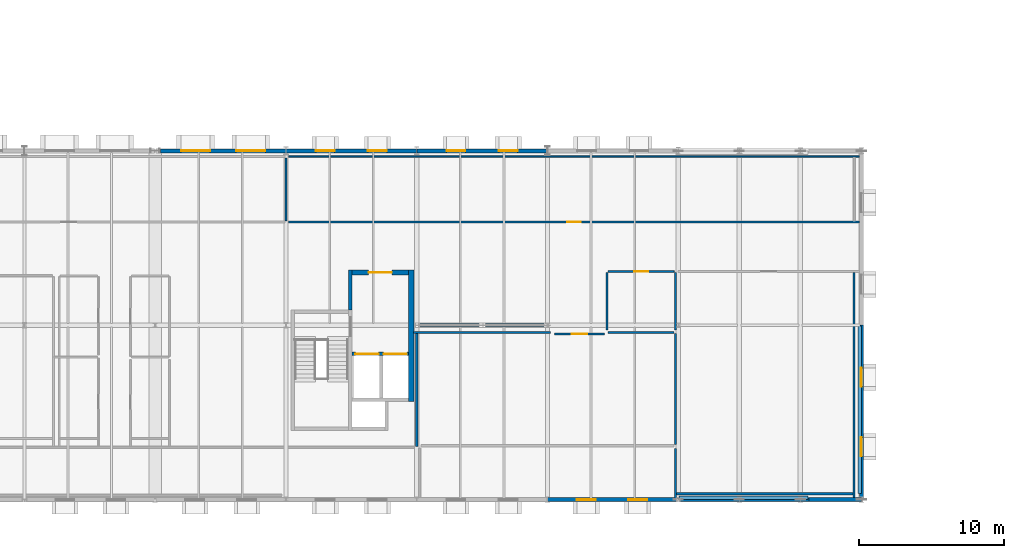
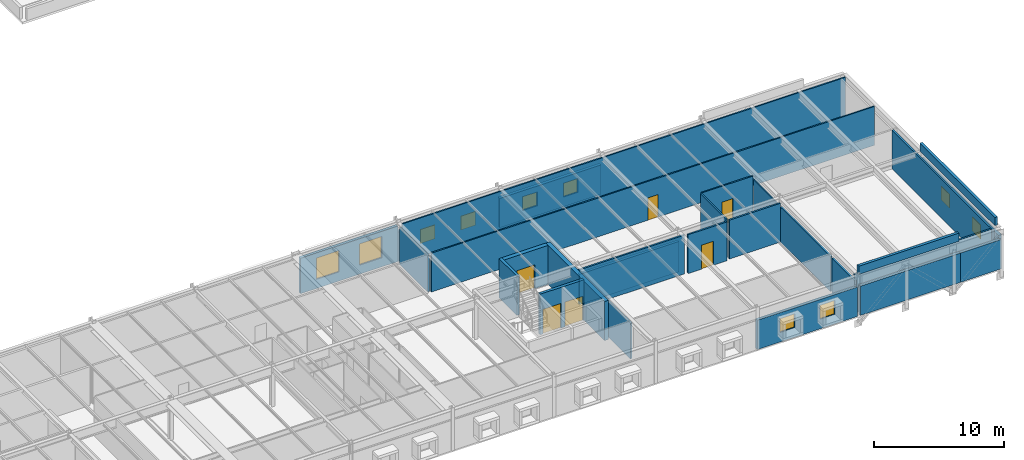
# One storey, part 32 of 36: 28 walls, 10 windows, 6 doors, 16 openings.
"""IFC4 building model written with IfcOpenShell, lengths in metres."""

from ifc_helpers import new_model, si_unit, direction, frame, frame_2d, origin, place, context, subcontext, project, spatial, rectangle, extrude, material, layer, layer_set, type_object, element, fill, save


model = new_model("IFC4")

# Units and contexts
model_context = context("Model", 3, precision=1e-05, world=origin(), true_north=direction((0.0, 1.0)))
body_context = subcontext(model_context, "Body", "Model", "MODEL_VIEW")
ifc_project = project(units=[si_unit("LENGTHUNIT", "METRE"), si_unit("AREAUNIT", "SQUARE_METRE"), si_unit("VOLUMEUNIT", "CUBIC_METRE"), si_unit("PLANEANGLEUNIT", "RADIAN"), si_unit("MASSUNIT", "GRAM", prefix="KILO")], contexts=[model_context])

# Site, building, storey
site_placement = place(None, origin())
site = spatial("IfcSite", under=ifc_project, at=site_placement, CompositionType="ELEMENT")
building_placement = place(site_placement, origin())
building = spatial("IfcBuilding", under=site, at=building_placement, Name="Montelvaro Courts of Justice", CompositionType="ELEMENT")
storey_placement = place(building_placement, frame((0.0, 0.0, 23.39990234375)))
storey = spatial("IfcBuildingStorey", under=building, at=storey_placement, Name="L05", CompositionType="ELEMENT", Elevation=23.39990234375)

# Wall
ifc_material_1 = material(Name="Gypsum board on metal stud")
ifc_layer_1 = layer(ifc_material_1, 0.14990234375)
ifc_layer_set_1 = layer_set([ifc_layer_1], Name="Gypsum board on metal stud")
wall_type_1 = type_object("IfcWallType", Name="ChambersPartition_150", PredefinedType="PARTITIONING", material=ifc_layer_set_1)
wall_1_placement = place(storey_placement, frame((108.0, 23.52001953125, 0.0), z_axis=(0.0, 0.0, 1.0), x_axis=(0.0, -1.0, 0.0)))
element("IfcWall", 1, at=wall_1_placement, inside=storey, type_object=wall_type_1, Name="Interior Partition IW-04 (L05)", PredefinedType="PARTITIONING", context=body_context, shape_type="SweptSolid", body=[
    extrude(rectangle(XDim=4.340087890625, YDim=0.14990234375, at=frame_2d((2.169921875, 0.0))), origin(), (0.0, 0.0, 1.0), 3.405029296875),
])

# Wall, opening, door
wall_2_placement = place(storey_placement, frame((126.47998046875, 11.39990234375, 0.0), z_axis=(0.0, 0.0, 1.0), x_axis=(1.0, 0.0, 0.0)))
wall_2 = element("IfcWall", 2, at=wall_2_placement, inside=storey, type_object=wall_type_1, Name="Interior Partition IW-04 (L05)", PredefinedType="PARTITIONING", context=body_context, shape_type="SweptSolid", body=[
    extrude(rectangle(XDim=3.43994140625, YDim=0.14990234375, at=frame_2d((1.719970703125, 0.0))), origin(), (0.0, 0.0, 1.0), 3.64013671875),
])
opening_1_placement = place(wall_2_placement, frame((1.195068359375, 0.0, 0.0)))
opening_1 = element("IfcOpeningElement", 3, at=opening_1_placement, cuts=wall_2, Name="Opening D-L05-155", PredefinedType="OPENING", context=body_context, shape_type="SweptSolid", body=[
    extrude(rectangle(XDim=1.050048828125, YDim=2.25, at=frame_2d((0.52490234375, 1.125))), frame((0.0, 0.08984375, 0.0), z_axis=(0.0, -1.0, 0.0), x_axis=(1.0, 0.0, 0.0)), (0.0, 0.0, 1.0), 0.1796875),
])
ifc_material_2 = material(Name="Acoustic oak timber veneer", Category="wood")
door_type_1 = type_object("IfcDoorType", Name="ChamberDoor_105x225", OperationType="NOTDEFINED", PredefinedType="DOOR", material=ifc_material_2)
door_1_placement = place(opening_1_placement, frame((1.050048828125, 0.0, 0.0), z_axis=(0.0, 0.0, 1.0), x_axis=(-1.0, 0.0, 0.0)))
door_1 = element("IfcDoor", 4, at=door_1_placement, inside=storey, type_object=door_type_1, Name="Interior Door D-L05-155 (Senior Magistrates' Chambers East L05)", OperationType="SINGLE_SWING_LEFT", OverallHeight=2.25, OverallWidth=1.050048828125, PredefinedType="DOOR", context=body_context, shape_type="SweptSolid", body=[
    extrude(rectangle(XDim=1.050048828125, YDim=2.25, at=frame_2d((0.52490234375, 1.125))), frame((0.0, 0.02490234375, 0.0), z_axis=(0.0, -1.0, 0.0), x_axis=(1.0, 0.0, 0.0)), (0.0, 0.0, 1.0), 0.050048828125),
])
fill(opening_1, door_1)

# Walls
wall_3_placement = place(storey_placement, frame((130.179931640625, 11.5, 0.0), z_axis=(0.0, 0.0, 1.0), x_axis=(1.0, 0.0, 0.0)))
element("IfcWall", 5, at=wall_3_placement, inside=storey, type_object=wall_type_1, Name="Interior Partition IW-04 (L05)", PredefinedType="PARTITIONING", context=body_context, shape_type="SweptSolid", body=[
    extrude(rectangle(XDim=4.5400390625, YDim=0.14990234375, at=frame_2d((2.27001953125, 0.0))), origin(), (0.0, 0.0, 1.0), 3.64013671875),
])
wall_4_placement = place(storey_placement, frame((134.800048828125, 11.419921875, 0.0), z_axis=(0.0, 0.0, 1.0), x_axis=(0.0, -1.0, 0.0)))
element("IfcWall", 6, at=wall_4_placement, inside=storey, type_object=wall_type_1, Name="Interior Partition IW-04 (L05)", PredefinedType="PARTITIONING", context=body_context, shape_type="SweptSolid", body=[
    extrude(rectangle(XDim=7.639892578125, YDim=0.14990234375, at=frame_2d((3.81982421875, 0.0))), origin(), (0.0, 0.0, 1.0), 3.28515625),
])
wall_5_placement = place(storey_placement, frame((117.0, 3.655029296875, 0.0), z_axis=(0.0, 0.0, 1.0), x_axis=(0.0, 1.0, 0.0)))
element("IfcWall", 7, at=wall_5_placement, inside=storey, type_object=wall_type_1, Name="Interior Partition IW-04 (L05)", PredefinedType="PARTITIONING", context=body_context, shape_type="SweptSolid", body=[
    extrude(rectangle(XDim=7.764892578125, YDim=0.14990234375, at=frame_2d((3.88232421875, 0.0))), origin(), (0.0, 0.0, 1.0), 3.364990234375),
])
wall_6_placement = place(storey_placement, frame((116.794921875, 11.5, 0.0), z_axis=(0.0, 0.0, 1.0), x_axis=(1.0, 0.0, 0.0)))
element("IfcWall", 8, at=wall_6_placement, inside=storey, type_object=wall_type_1, Name="Interior Partition IW-04 (L05)", PredefinedType="PARTITIONING", context=body_context, shape_type="SweptSolid", body=[
    extrude(rectangle(XDim=9.425048828125, YDim=0.14990234375, at=frame_2d((4.71240234375, 0.0))), origin(), (0.0, 0.0, 1.0), 3.64013671875),
])
wall_7_placement = place(storey_placement, frame((147.10009765625, 15.6298828125, 0.0), z_axis=(0.0, 0.0, 1.0), x_axis=(0.0, -1.0, 0.0)))
element("IfcWall", 9, at=wall_7_placement, inside=storey, type_object=wall_type_1, Name="Interior Partition IW-04 (L05)", PredefinedType="PARTITIONING", context=body_context, shape_type="SweptSolid", body=[
    extrude(rectangle(XDim=15.494873046875, YDim=0.14990234375, at=frame_2d((7.74755859375, 0.0))), origin(), (0.0, 0.0, 1.0), 3.64013671875),
])
wall_8_placement = place(storey_placement, frame((147.030029296875, 0.39990234375, 0.0), z_axis=(0.0, 0.0, 1.0), x_axis=(-1.0, 0.0, 0.0)))
element("IfcWall", 10, at=wall_8_placement, inside=storey, type_object=wall_type_1, Name="Interior Partition IW-04 (L05)", PredefinedType="PARTITIONING", context=body_context, shape_type="SweptSolid", body=[
    extrude(rectangle(XDim=12.150146484375, YDim=0.14990234375, at=frame_2d((6.0751953125, 0.0))), origin(), (0.0, 0.0, 1.0), 3.64013671875),
])
wall_9_placement = place(storey_placement, frame((134.800048828125, 0.008056640625, 0.0), z_axis=(0.0, 0.0, 1.0), x_axis=(0.0, 1.0, 0.0)))
element("IfcWall", 11, at=wall_9_placement, inside=storey, type_object=wall_type_1, Name="Interior Partition IW-04 (L05)", PredefinedType="PARTITIONING", context=body_context, shape_type="SweptSolid", body=[
    extrude(rectangle(XDim=3.511962890625, YDim=0.14990234375, at=frame_2d((1.755859375, 0.0))), origin(), (0.0, 0.0, 1.0), 3.28515625),
])

# Wall, opening, door
ifc_material_3 = material(Name="Concrete C40/50", Category="concrete")
ifc_layer_2 = layer(ifc_material_3, 0.360107421875)
ifc_layer_set_2 = layer_set([ifc_layer_2], Name="Concrete C40/50")
wall_type_2 = type_object("IfcWallType", Name="CoreWall_360", PredefinedType="SHEAR", material=ifc_layer_set_2)
wall_10_placement = place(storey_placement, frame((112.5400390625, 15.6201171875, 0.0), z_axis=(0.0, 0.0, 1.0), x_axis=(1.0, 0.0, 0.0)))
wall_10 = element("IfcWall", 12, at=wall_10_placement, inside=storey, type_object=wall_type_2, Name="Core Shear Wall CW-01 K2-N (L05)", PredefinedType="SHEAR", context=body_context, shape_type="SweptSolid", body=[
    extrude(rectangle(XDim=3.89990234375, YDim=0.360107421875, at=frame_2d((1.949951171875, 0.0))), origin(), (0.0, 0.0, 1.0), 3.66015625),
])
opening_2_placement = place(wall_10_placement, frame((1.14990234375, 0.0, 0.0)))
opening_2 = element("IfcOpeningElement", 13, at=opening_2_placement, cuts=wall_10, Name="Opening DL-L05-K2", PredefinedType="OPENING", context=body_context, shape_type="SweptSolid", body=[
    extrude(rectangle(XDim=1.60009765625, YDim=2.25, at=frame_2d((0.800048828125, 1.125))), frame((0.0, 0.19482421875, 0.0), z_axis=(0.0, -1.0, 0.0), x_axis=(1.0, 0.0, 0.0)), (0.0, 0.0, 1.0), 0.389892578125),
])
ifc_material_4 = material(Name="Galvanised steel S355 security door", Category="steel")
door_type_2 = type_object("IfcDoorType", Name="LobbyFireDoor_160x225", OperationType="DOUBLE_DOOR_SINGLE_SWING", PredefinedType="DOOR", material=ifc_material_4)
door_2_placement = place(opening_2_placement, origin())
door_2 = element("IfcDoor", 14, at=door_2_placement, inside=storey, type_object=door_type_2, Name="Core Lobby Fire Door DL-L05-K2", OperationType="DOUBLE_DOOR_SINGLE_SWING", OverallHeight=2.25, OverallWidth=1.60009765625, PredefinedType="DOOR", context=body_context, shape_type="SweptSolid", body=[
    extrude(rectangle(XDim=1.60009765625, YDim=2.25, at=frame_2d((0.800048828125, 1.125))), frame((0.0, 0.02490234375, 0.0), z_axis=(0.0, -1.0, 0.0), x_axis=(1.0, 0.0, 0.0)), (0.0, 0.0, 1.0), 0.050048828125),
])
fill(opening_2, door_2)

# Wall
wall_11_placement = place(storey_placement, frame((116.6201171875, 6.760009765625, 0.0), z_axis=(0.0, 0.0, 1.0), x_axis=(0.0, 1.0, 0.0)))
element("IfcWall", 15, at=wall_11_placement, inside=storey, type_object=wall_type_2, Name="Core Shear Wall CW-01 K2-E (L05)", PredefinedType="SHEAR", context=body_context, shape_type="SweptSolid", body=[
    extrude(rectangle(XDim=9.0400390625, YDim=0.360107421875, at=frame_2d((4.52001953125, 0.0))), origin(), (0.0, 0.0, 1.0), 3.66015625),
])

# Wall, openings, windows
ifc_material_5 = material(Name="White mineral precast concrete C45/55", Category="concrete")
ifc_layer_3 = layer(ifc_material_5, 0.280029296875)
ifc_layer_set_3 = layer_set([ifc_layer_3], Name="White mineral precast concrete C45/55")
wall_type_3 = type_object("IfcWallType", Name="ExtWall_GFRC_280", PredefinedType="SOLIDWALL", material=ifc_layer_set_3)
wall_12_placement = place(storey_placement, frame((126.008056640625, 0.0, 0.0), z_axis=(0.0, 0.0, 1.0), x_axis=(1.0, 0.0, 0.0)))
wall_12 = element("IfcWall", 16, at=wall_12_placement, inside=storey, type_object=wall_type_3, Name="Exterior Facade Wall EW-01 (L05)", PredefinedType="SOLIDWALL", context=body_context, shape_type="SweptSolid", body=[
    extrude(rectangle(XDim=8.864013671875, YDim=0.280029296875, at=frame_2d((4.43212890625, 0.0))), origin(), (0.0, 0.0, 1.0), 2.7470703125),
])
opening_3_placement = place(wall_12_placement, frame((2.009033203125, 0.0, 0.89990234375)))
opening_3 = element("IfcOpeningElement", 17, at=opening_3_placement, cuts=wall_12, Name="Opening WE-18", PredefinedType="OPENING", context=body_context, shape_type="SweptSolid", body=[
    extrude(rectangle(XDim=1.300048828125, YDim=1.300048828125, at=frame_2d((0.64990234375, 0.64990234375))), frame((0.0, 0.15478515625, 0.0), z_axis=(0.0, -1.0, 0.0), x_axis=(1.0, 0.0, 0.0)), (0.0, 0.0, 1.0), 0.309814453125),
])
opening_4_placement = place(wall_12_placement, frame((5.554931640625, 0.0, 0.89990234375)))
opening_4 = element("IfcOpeningElement", 18, at=opening_4_placement, cuts=wall_12, Name="Opening WE-18", PredefinedType="OPENING", context=body_context, shape_type="SweptSolid", body=[
    extrude(rectangle(XDim=1.300048828125, YDim=1.300048828125, at=frame_2d((0.64990234375, 0.64990234375))), frame((0.0, 0.15478515625, 0.0), z_axis=(0.0, -1.0, 0.0), x_axis=(1.0, 0.0, 0.0)), (0.0, 0.0, 1.0), 0.309814453125),
])
ifc_material_6 = material(Name="Low-E solar control double glazing", Category="glass")
window_type_1 = type_object("IfcWindowType", Name="Win_Sq_130x130", PartitioningType="SINGLE_PANEL", PredefinedType="WINDOW", material=ifc_material_6)
window_1_placement = place(opening_3_placement, origin())
window_1 = element("IfcWindow", 19, at=window_1_placement, inside=storey, type_object=window_type_1, Name="Window W-L05-270", OverallHeight=1.300048828125, OverallWidth=1.300048828125, PartitioningType="SINGLE_PANEL", PredefinedType="WINDOW", context=body_context, shape_type="SweptSolid", body=[
    extrude(rectangle(XDim=1.300048828125, YDim=1.300048828125, at=frame_2d((0.64990234375, 0.64990234375))), frame((0.0, 0.030029296875, 0.0), z_axis=(0.0, -1.0, 0.0), x_axis=(1.0, 0.0, 0.0)), (0.0, 0.0, 1.0), 0.06005859375),
])
fill(opening_3, window_1)
window_2_placement = place(opening_4_placement, origin())
window_2 = element("IfcWindow", 20, at=window_2_placement, inside=storey, type_object=window_type_1, Name="Window W-L05-271", OverallHeight=1.300048828125, OverallWidth=1.300048828125, PartitioningType="SINGLE_PANEL", PredefinedType="WINDOW", context=body_context, shape_type="SweptSolid", body=[
    extrude(rectangle(XDim=1.300048828125, YDim=1.300048828125, at=frame_2d((0.64990234375, 0.64990234375))), frame((0.0, 0.030029296875, 0.0), z_axis=(0.0, -1.0, 0.0), x_axis=(1.0, 0.0, 0.0)), (0.0, 0.0, 1.0), 0.06005859375),
])
fill(opening_4, window_2)

# Walls
wall_13_placement = place(storey_placement, frame((135.1279296875, 0.0, 0.0), z_axis=(0.0, 0.0, 1.0), x_axis=(1.0, 0.0, 0.0)))
element("IfcWall", 21, at=wall_13_placement, inside=storey, type_object=wall_type_3, Name="Exterior Facade Wall EW-01 (L05)", PredefinedType="SOLIDWALL", context=body_context, shape_type="SweptSolid", body=[
    extrude(rectangle(XDim=8.882080078125, YDim=0.280029296875, at=frame_2d((4.44091796875, 0.0))), origin(), (0.0, 0.0, 1.0), 2.7470703125),
])
wall_14_placement = place(storey_placement, frame((143.989990234375, 0.0, 0.0), z_axis=(0.0, 0.0, 1.0), x_axis=(1.0, 0.0, 0.0)))
element("IfcWall", 22, at=wall_14_placement, inside=storey, type_object=wall_type_3, Name="Exterior Facade Wall EW-01 (L05)", PredefinedType="SOLIDWALL", context=body_context, shape_type="SweptSolid", body=[
    extrude(rectangle(XDim=3.64990234375, YDim=0.280029296875, at=frame_2d((1.824951171875, 0.0))), origin(), (0.0, 0.0, 1.0), 2.7470703125),
])

# Wall, openings, windows
wall_15_placement = place(storey_placement, frame((147.60009765625, 0.0400390625, 0.0), z_axis=(0.0, 0.0, 1.0), x_axis=(0.0, 1.0, 0.0)))
wall_15 = element("IfcWall", 23, at=wall_15_placement, inside=storey, type_object=wall_type_3, Name="Exterior Facade Wall EW-01 (L05)", PredefinedType="SOLIDWALL", context=body_context, shape_type="SweptSolid", body=[
    extrude(rectangle(XDim=11.969970703125, YDim=0.280029296875, at=frame_2d((5.98486328125, 0.0))), origin(), (0.0, 0.0, 1.0), 3.05517578125),
])
opening_5_placement = place(wall_15_placement, frame((2.94091796875, 0.0, 0.89990234375)))
opening_5 = element("IfcOpeningElement", 24, at=opening_5_placement, cuts=wall_15, Name="Opening WE-18", PredefinedType="OPENING", context=body_context, shape_type="SweptSolid", body=[
    extrude(rectangle(XDim=1.300048828125, YDim=1.300048828125, at=frame_2d((0.64990234375, 0.64990234375))), frame((0.0, 0.15478515625, 0.0), z_axis=(0.0, -1.0, 0.0), x_axis=(1.0, 0.0, 0.0)), (0.0, 0.0, 1.0), 0.309814453125),
])
opening_6_placement = place(wall_15_placement, frame((7.72900390625, 0.0, 0.89990234375)))
opening_6 = element("IfcOpeningElement", 25, at=opening_6_placement, cuts=wall_15, Name="Opening WE-18", PredefinedType="OPENING", context=body_context, shape_type="SweptSolid", body=[
    extrude(rectangle(XDim=1.300048828125, YDim=1.300048828125, at=frame_2d((0.64990234375, 0.64990234375))), frame((0.0, 0.15478515625, 0.0), z_axis=(0.0, -1.0, 0.0), x_axis=(1.0, 0.0, 0.0)), (0.0, 0.0, 1.0), 0.309814453125),
])
window_3_placement = place(opening_5_placement, origin())
window_3 = element("IfcWindow", 26, at=window_3_placement, inside=storey, type_object=window_type_1, Name="Window W-L05-272", OverallHeight=1.300048828125, OverallWidth=1.300048828125, PartitioningType="SINGLE_PANEL", PredefinedType="WINDOW", context=body_context, shape_type="SweptSolid", body=[
    extrude(rectangle(XDim=1.300048828125, YDim=1.300048828125, at=frame_2d((0.64990234375, 0.64990234375))), frame((0.0, 0.030029296875, 0.0), z_axis=(0.0, -1.0, 0.0), x_axis=(1.0, 0.0, 0.0)), (0.0, 0.0, 1.0), 0.06005859375),
])
fill(opening_5, window_3)
window_4_placement = place(opening_6_placement, origin())
window_4 = element("IfcWindow", 27, at=window_4_placement, inside=storey, type_object=window_type_1, Name="Window W-L05-273", OverallHeight=1.300048828125, OverallWidth=1.300048828125, PartitioningType="SINGLE_PANEL", PredefinedType="WINDOW", context=body_context, shape_type="SweptSolid", body=[
    extrude(rectangle(XDim=1.300048828125, YDim=1.300048828125, at=frame_2d((0.64990234375, 0.64990234375))), frame((0.0, 0.030029296875, 0.0), z_axis=(0.0, -1.0, 0.0), x_axis=(1.0, 0.0, 0.0)), (0.0, 0.0, 1.0), 0.06005859375),
])
fill(opening_6, window_4)

wall_16_placement = place(storey_placement, frame((125.991943359375, 24.0, 0.0), z_axis=(0.0, 0.0, 1.0), x_axis=(-1.0, 0.0, 0.0)))
wall_16 = element("IfcWall", 28, at=wall_16_placement, inside=storey, type_object=wall_type_3, Name="Exterior Facade Wall EW-01 (L05)", PredefinedType="SOLIDWALL", context=body_context, shape_type="SweptSolid", body=[
    extrude(rectangle(XDim=8.98388671875, YDim=0.280029296875, at=frame_2d((4.491943359375, 0.0))), origin(), (0.0, 0.0, 1.0), 2.7470703125),
])
opening_7_placement = place(wall_16_placement, frame((2.044921875, 0.0, 0.89990234375)))
opening_7 = element("IfcOpeningElement", 29, at=opening_7_placement, cuts=wall_16, Name="Opening WE-18", PredefinedType="OPENING", context=body_context, shape_type="SweptSolid", body=[
    extrude(rectangle(XDim=1.300048828125, YDim=1.300048828125, at=frame_2d((0.64990234375, 0.64990234375))), frame((0.0, 0.15478515625, 0.0), z_axis=(0.0, -1.0, 0.0), x_axis=(1.0, 0.0, 0.0)), (0.0, 0.0, 1.0), 0.309814453125),
])
opening_8_placement = place(wall_16_placement, frame((5.638916015625, 0.0, 0.89990234375)))
opening_8 = element("IfcOpeningElement", 30, at=opening_8_placement, cuts=wall_16, Name="Opening WE-18", PredefinedType="OPENING", context=body_context, shape_type="SweptSolid", body=[
    extrude(rectangle(XDim=1.300048828125, YDim=1.300048828125, at=frame_2d((0.64990234375, 0.64990234375))), frame((0.0, 0.15478515625, 0.0), z_axis=(0.0, -1.0, 0.0), x_axis=(1.0, 0.0, 0.0)), (0.0, 0.0, 1.0), 0.309814453125),
])
window_5_placement = place(opening_7_placement, origin())
window_5 = element("IfcWindow", 31, at=window_5_placement, inside=storey, type_object=window_type_1, Name="Window W-L05-278", OverallHeight=1.300048828125, OverallWidth=1.300048828125, PartitioningType="SINGLE_PANEL", PredefinedType="WINDOW", context=body_context, shape_type="SweptSolid", body=[
    extrude(rectangle(XDim=1.300048828125, YDim=1.300048828125, at=frame_2d((0.64990234375, 0.64990234375))), frame((0.0, 0.030029296875, 0.0), z_axis=(0.0, -1.0, 0.0), x_axis=(1.0, 0.0, 0.0)), (0.0, 0.0, 1.0), 0.06005859375),
])
fill(opening_7, window_5)
window_6_placement = place(opening_8_placement, origin())
window_6 = element("IfcWindow", 32, at=window_6_placement, inside=storey, type_object=window_type_1, Name="Window W-L05-279", OverallHeight=1.300048828125, OverallWidth=1.300048828125, PartitioningType="SINGLE_PANEL", PredefinedType="WINDOW", context=body_context, shape_type="SweptSolid", body=[
    extrude(rectangle(XDim=1.300048828125, YDim=1.300048828125, at=frame_2d((0.64990234375, 0.64990234375))), frame((0.0, 0.030029296875, 0.0), z_axis=(0.0, -1.0, 0.0), x_axis=(1.0, 0.0, 0.0)), (0.0, 0.0, 1.0), 0.06005859375),
])
fill(opening_8, window_6)

wall_17_placement = place(storey_placement, frame((116.991943359375, 24.0, 0.0), z_axis=(0.0, 0.0, 1.0), x_axis=(-1.0, 0.0, 0.0)))
wall_17 = element("IfcWall", 33, at=wall_17_placement, inside=storey, type_object=wall_type_3, Name="Exterior Facade Wall EW-01 (L05)", PredefinedType="SOLIDWALL", context=body_context, shape_type="SweptSolid", body=[
    extrude(rectangle(XDim=8.98388671875, YDim=0.280029296875, at=frame_2d((4.491943359375, 0.0))), origin(), (0.0, 0.0, 1.0), 2.7470703125),
])
opening_9_placement = place(wall_17_placement, frame((2.044921875, 0.0, 0.89990234375)))
opening_9 = element("IfcOpeningElement", 34, at=opening_9_placement, cuts=wall_17, Name="Opening WE-18", PredefinedType="OPENING", context=body_context, shape_type="SweptSolid", body=[
    extrude(rectangle(XDim=1.300048828125, YDim=1.300048828125, at=frame_2d((0.64990234375, 0.64990234375))), frame((0.0, 0.15478515625, 0.0), z_axis=(0.0, -1.0, 0.0), x_axis=(1.0, 0.0, 0.0)), (0.0, 0.0, 1.0), 0.309814453125),
])
opening_10_placement = place(wall_17_placement, frame((5.638916015625, 0.0, 0.89990234375)))
opening_10 = element("IfcOpeningElement", 35, at=opening_10_placement, cuts=wall_17, Name="Opening WE-18", PredefinedType="OPENING", context=body_context, shape_type="SweptSolid", body=[
    extrude(rectangle(XDim=1.300048828125, YDim=1.300048828125, at=frame_2d((0.64990234375, 0.64990234375))), frame((0.0, 0.15478515625, 0.0), z_axis=(0.0, -1.0, 0.0), x_axis=(1.0, 0.0, 0.0)), (0.0, 0.0, 1.0), 0.309814453125),
])
window_7_placement = place(opening_9_placement, origin())
window_7 = element("IfcWindow", 36, at=window_7_placement, inside=storey, type_object=window_type_1, Name="Window W-L05-280", OverallHeight=1.300048828125, OverallWidth=1.300048828125, PartitioningType="SINGLE_PANEL", PredefinedType="WINDOW", context=body_context, shape_type="SweptSolid", body=[
    extrude(rectangle(XDim=1.300048828125, YDim=1.300048828125, at=frame_2d((0.64990234375, 0.64990234375))), frame((0.0, 0.030029296875, 0.0), z_axis=(0.0, -1.0, 0.0), x_axis=(1.0, 0.0, 0.0)), (0.0, 0.0, 1.0), 0.06005859375),
])
fill(opening_9, window_7)
window_8_placement = place(opening_10_placement, origin())
window_8 = element("IfcWindow", 37, at=window_8_placement, inside=storey, type_object=window_type_1, Name="Window W-L05-281", OverallHeight=1.300048828125, OverallWidth=1.300048828125, PartitioningType="SINGLE_PANEL", PredefinedType="WINDOW", context=body_context, shape_type="SweptSolid", body=[
    extrude(rectangle(XDim=1.300048828125, YDim=1.300048828125, at=frame_2d((0.64990234375, 0.64990234375))), frame((0.0, 0.030029296875, 0.0), z_axis=(0.0, -1.0, 0.0), x_axis=(1.0, 0.0, 0.0)), (0.0, 0.0, 1.0), 0.06005859375),
])
fill(opening_10, window_8)

wall_18_placement = place(storey_placement, frame((107.991943359375, 24.0, 0.0), z_axis=(0.0, 0.0, 1.0), x_axis=(-1.0, 0.0, 0.0)))
wall_18 = element("IfcWall", 38, at=wall_18_placement, inside=storey, type_object=wall_type_3, Name="Exterior Facade Wall EW-01 (L05)", PredefinedType="SOLIDWALL", context=body_context, shape_type="SweptSolid", body=[
    extrude(rectangle(XDim=8.618896484375, YDim=0.280029296875, at=frame_2d((4.3095703125, 0.0))), origin(), (0.0, 0.0, 1.0), 3.315185546875),
])
opening_11_placement = place(wall_18_placement, frame((1.4130859375, 0.0, 0.85009765625)))
opening_11 = element("IfcOpeningElement", 39, at=opening_11_placement, cuts=wall_18, Name="Opening WE-11", PredefinedType="OPENING", context=body_context, shape_type="SweptSolid", body=[
    extrude(rectangle(XDim=2.0, YDim=2.0, at=frame_2d((1.0, 1.0))), frame((0.0, 0.15478515625, 0.0), z_axis=(0.0, -1.0, 0.0), x_axis=(1.0, 0.0, 0.0)), (0.0, 0.0, 1.0), 0.309814453125),
])
opening_12_placement = place(wall_18_placement, frame((5.2060546875, 0.0, 0.85009765625)))
opening_12 = element("IfcOpeningElement", 40, at=opening_12_placement, cuts=wall_18, Name="Opening WE-11", PredefinedType="OPENING", context=body_context, shape_type="SweptSolid", body=[
    extrude(rectangle(XDim=2.0, YDim=2.0, at=frame_2d((1.0, 1.0))), frame((0.0, 0.15478515625, 0.0), z_axis=(0.0, -1.0, 0.0), x_axis=(1.0, 0.0, 0.0)), (0.0, 0.0, 1.0), 0.309814453125),
])
window_type_2 = type_object("IfcWindowType", Name="Win_Sq_200x200", PartitioningType="SINGLE_PANEL", PredefinedType="WINDOW", material=ifc_material_6)
window_9_placement = place(opening_11_placement, origin())
window_9 = element("IfcWindow", 41, at=window_9_placement, inside=storey, type_object=window_type_2, Name="Window W-L05-282", OverallHeight=2.0, OverallWidth=2.0, PartitioningType="SINGLE_PANEL", PredefinedType="WINDOW", context=body_context, shape_type="SweptSolid", body=[
    extrude(rectangle(XDim=2.0, YDim=2.0, at=frame_2d((1.0, 1.0))), frame((0.0, 0.030029296875, 0.0), z_axis=(0.0, -1.0, 0.0), x_axis=(1.0, 0.0, 0.0)), (0.0, 0.0, 1.0), 0.06005859375),
])
fill(opening_11, window_9)
window_10_placement = place(opening_12_placement, origin())
window_10 = element("IfcWindow", 42, at=window_10_placement, inside=storey, type_object=window_type_2, Name="Window W-L05-283", OverallHeight=2.0, OverallWidth=2.0, PartitioningType="SINGLE_PANEL", PredefinedType="WINDOW", context=body_context, shape_type="SweptSolid", body=[
    extrude(rectangle(XDim=2.0, YDim=2.0, at=frame_2d((1.0, 1.0))), frame((0.0, 0.030029296875, 0.0), z_axis=(0.0, -1.0, 0.0), x_axis=(1.0, 0.0, 0.0)), (0.0, 0.0, 1.0), 0.06005859375),
])
fill(opening_12, window_10)

# Wall, opening, door
ifc_layer_4 = layer(ifc_material_1, 0.1201171875)
ifc_layer_set_4 = layer_set([ifc_layer_4], Name="Gypsum board on metal stud")
wall_type_4 = type_object("IfcWallType", Name="OfficePartition_120", PredefinedType="PARTITIONING", material=ifc_layer_set_4)
wall_19_placement = place(storey_placement, frame((147.465087890625, 19.10009765625, 0.0), z_axis=(0.0, 0.0, 1.0), x_axis=(-1.0, 0.0, 0.0)))
wall_19 = element("IfcWall", 43, at=wall_19_placement, inside=storey, type_object=wall_type_4, Name="Interior Partition IW-05 (L05)", PredefinedType="PARTITIONING", context=body_context, shape_type="SweptSolid", body=[
    extrude(rectangle(XDim=39.28515625, YDim=0.1201171875, at=frame_2d((19.642578125, 0.0))), origin(), (0.0, 0.0, 1.0), 3.64013671875),
])
opening_13_placement = place(wall_19_placement, frame((19.19189453125, 0.0, 0.0)))
opening_13 = element("IfcOpeningElement", 44, at=opening_13_placement, cuts=wall_19, Name="Opening D-L05-154", PredefinedType="OPENING", context=body_context, shape_type="SweptSolid", body=[
    extrude(rectangle(XDim=0.89990234375, YDim=2.10009765625, at=frame_2d((0.449951171875, 1.050048828125))), frame((0.0, 0.074951171875, 0.0), z_axis=(0.0, -1.0, 0.0), x_axis=(1.0, 0.0, 0.0)), (0.0, 0.0, 1.0), 0.14990234375),
])
door_type_3 = type_object("IfcDoorType", Name="OfficeDoor_090x210", OperationType="NOTDEFINED", PredefinedType="DOOR", material=ifc_material_2)
door_3_placement = place(opening_13_placement, origin())
door_3 = element("IfcDoor", 45, at=door_3_placement, inside=storey, type_object=door_type_3, Name="Interior Door D-L05-154 (Judicial Clerks' Suite L05)", OperationType="SINGLE_SWING_RIGHT", OverallHeight=2.10009765625, OverallWidth=0.89990234375, PredefinedType="DOOR", context=body_context, shape_type="SweptSolid", body=[
    extrude(rectangle(XDim=0.89990234375, YDim=2.10009765625, at=frame_2d((0.449951171875, 1.050048828125))), frame((0.0, 0.02490234375, 0.0), z_axis=(0.0, -1.0, 0.0), x_axis=(1.0, 0.0, 0.0)), (0.0, 0.0, 1.0), 0.050048828125),
])
fill(opening_13, door_3)

# Walls
wall_20_placement = place(storey_placement, frame((108.179931640625, 23.60009765625, 0.0), z_axis=(0.0, 0.0, 1.0), x_axis=(1.0, 0.0, 0.0)))
element("IfcWall", 46, at=wall_20_placement, inside=storey, type_object=wall_type_4, Name="Interior Partition IW-05 (L05)", PredefinedType="PARTITIONING", context=body_context, shape_type="SweptSolid", body=[
    extrude(rectangle(XDim=39.28515625, YDim=0.1201171875, at=frame_2d((19.642578125, 0.0))), origin(), (0.0, 0.0, 1.0), 3.64013671875),
])
wall_21_placement = place(storey_placement, frame((134.800048828125, 15.6201171875, 0.0), z_axis=(0.0, 0.0, 1.0), x_axis=(0.0, -1.0, 0.0)))
element("IfcWall", 47, at=wall_21_placement, inside=storey, type_object=wall_type_4, Name="Interior Partition IW-05 (L05)", PredefinedType="PARTITIONING", context=body_context, shape_type="SweptSolid", body=[
    extrude(rectangle(XDim=3.940185546875, YDim=0.1201171875, at=frame_2d((1.97021484375, 0.0))), origin(), (0.0, 0.0, 1.0), 3.28515625),
])
wall_22_placement = place(storey_placement, frame((130.10009765625, 11.679931640625, 0.0), z_axis=(0.0, 0.0, 1.0), x_axis=(0.0, 1.0, 0.0)))
element("IfcWall", 48, at=wall_22_placement, inside=storey, type_object=wall_type_4, Name="Interior Partition IW-05 (L05)", PredefinedType="PARTITIONING", context=body_context, shape_type="SweptSolid", body=[
    extrude(rectangle(XDim=3.940185546875, YDim=0.1201171875, at=frame_2d((1.97021484375, 0.0))), origin(), (0.0, 0.0, 1.0), 3.64013671875),
])

# Wall, opening, door
wall_23_placement = place(storey_placement, frame((130.179931640625, 15.699951171875, 0.0), z_axis=(0.0, 0.0, 1.0), x_axis=(1.0, 0.0, 0.0)))
wall_23 = element("IfcWall", 49, at=wall_23_placement, inside=storey, type_object=wall_type_4, Name="Interior Partition IW-05 (L05)", PredefinedType="PARTITIONING", context=body_context, shape_type="SweptSolid", body=[
    extrude(rectangle(XDim=4.5400390625, YDim=0.1201171875, at=frame_2d((2.27001953125, 0.0))), origin(), (0.0, 0.0, 1.0), 3.64013671875),
])
opening_14_placement = place(wall_23_placement, frame((1.794921875, 0.0, 0.0)))
opening_14 = element("IfcOpeningElement", 50, at=opening_14_placement, cuts=wall_23, Name="Opening D-L05-156", PredefinedType="OPENING", context=body_context, shape_type="SweptSolid", body=[
    extrude(rectangle(XDim=0.949951171875, YDim=2.14990234375, at=frame_2d((0.47509765625, 1.074951171875))), frame((0.0, 0.074951171875, 0.0), z_axis=(0.0, -1.0, 0.0), x_axis=(1.0, 0.0, 0.0)), (0.0, 0.0, 1.0), 0.14990234375),
])
door_type_4 = type_object("IfcDoorType", Name="OfficeDoor_095x215", OperationType="NOTDEFINED", PredefinedType="DOOR", material=ifc_material_2)
door_4_placement = place(opening_14_placement, origin())
door_4 = element("IfcDoor", 51, at=door_4_placement, inside=storey, type_object=door_type_4, Name="Interior Door D-L05-156 (Senior Clerks' Research Office L05)", OperationType="SINGLE_SWING_RIGHT", OverallHeight=2.14990234375, OverallWidth=0.949951171875, PredefinedType="DOOR", context=body_context, shape_type="SweptSolid", body=[
    extrude(rectangle(XDim=0.949951171875, YDim=2.14990234375, at=frame_2d((0.47509765625, 1.074951171875))), frame((0.0, 0.02490234375, 0.0), z_axis=(0.0, -1.0, 0.0), x_axis=(1.0, 0.0, 0.0)), (0.0, 0.0, 1.0), 0.050048828125),
])
fill(opening_14, door_4)

# Walls
ifc_layer_5 = layer(ifc_material_5, 0.239990234375)
ifc_layer_set_5 = layer_set([ifc_layer_5], Name="White mineral precast concrete C45/55")
wall_type_5 = type_object("IfcWallType", Name="ParapetWall_240", PredefinedType="PARAPET", material=ifc_layer_set_5)
wall_24_placement = place(storey_placement, frame((135.06005859375, 0.1201171875, 3.780029296875), z_axis=(0.0, 0.0, 1.0), x_axis=(1.0, 0.0, 0.0)))
element("IfcWall", 52, at=wall_24_placement, inside=storey, type_object=wall_type_5, Name="Roof Parapet PW-01 L05-015", PredefinedType="PARAPET", context=body_context, shape_type="SweptSolid", body=[
    extrude(rectangle(XDim=8.8798828125, YDim=0.239990234375, at=frame_2d((4.43994140625, 0.0))), origin(), (0.0, 0.0, 1.0), 0.77001953125),
])
wall_25_placement = place(storey_placement, frame((147.47998046875, 0.419921875, 3.780029296875), z_axis=(0.0, 0.0, 1.0), x_axis=(0.0, 1.0, 0.0)))
element("IfcWall", 53, at=wall_25_placement, inside=storey, type_object=wall_type_5, Name="Roof Parapet PW-01 L05-017", PredefinedType="PARAPET", context=body_context, shape_type="SweptSolid", body=[
    extrude(rectangle(XDim=11.52001953125, YDim=0.239990234375, at=frame_2d((5.760009765625, 0.0))), origin(), (0.0, 0.0, 1.0), 0.77001953125),
])
ifc_material_7 = material(Name="Concrete C35/45", Category="concrete")
ifc_layer_6 = layer(ifc_material_7, 0.239990234375)
ifc_layer_set_6 = layer_set([ifc_layer_6], Name="Concrete C35/45")
wall_type_6 = type_object("IfcWallType", Name="ShaftWall_240", PredefinedType="SHEAR", material=ifc_layer_set_6)
wall_26_placement = place(storey_placement, frame((112.419921875, 13.0400390625, 0.0), z_axis=(0.0, 0.0, 1.0), x_axis=(0.0, 1.0, 0.0)))
element("IfcWall", 54, at=wall_26_placement, inside=storey, type_object=wall_type_6, Name="Core Lobby Structural Wall K2-W (L05)", PredefinedType="SHEAR", context=body_context, shape_type="SweptSolid", body=[
    extrude(rectangle(XDim=2.760009765625, YDim=0.239990234375, at=frame_2d((1.3798828125, 0.0))), origin(), (0.0, 0.0, 1.0), 3.66015625),
])

# Wall, openings, doors
wall_27_placement = place(storey_placement, frame((112.5400390625, 10.02001953125, 0.0), z_axis=(0.0, 0.0, 1.0), x_axis=(1.0, 0.0, 0.0)))
wall_27 = element("IfcWall", 55, at=wall_27_placement, inside=storey, type_object=wall_type_6, Name="Lift Shaft Bank Wall K2 (L05)", PredefinedType="SHEAR", context=body_context, shape_type="SweptSolid", body=[
    extrude(rectangle(XDim=3.89990234375, YDim=0.239990234375, at=frame_2d((1.949951171875, 0.0))), origin(), (0.0, 0.0, 1.0), 3.81005859375),
])
opening_15_placement = place(wall_27_placement, frame((0.235107421875, 0.0, 0.0)))
opening_15 = element("IfcOpeningElement", 56, at=opening_15_placement, cuts=wall_27, Name="Opening LD-LF-02-L05", PredefinedType="OPENING", context=body_context, shape_type="SweptSolid", body=[
    extrude(rectangle(XDim=1.60009765625, YDim=2.300048828125, at=frame_2d((0.800048828125, 1.14990234375))), frame((0.0, 0.134765625, 0.0), z_axis=(0.0, -1.0, 0.0), x_axis=(1.0, 0.0, 0.0)), (0.0, 0.0, 1.0), 0.269775390625),
])
opening_16_placement = place(wall_27_placement, frame((2.18505859375, 0.0, 0.0)))
opening_16 = element("IfcOpeningElement", 57, at=opening_16_placement, cuts=wall_27, Name="Opening LD-LJ-02-L05", PredefinedType="OPENING", context=body_context, shape_type="SweptSolid", body=[
    extrude(rectangle(XDim=1.60009765625, YDim=2.300048828125, at=frame_2d((0.800048828125, 1.14990234375))), frame((0.0, 0.134765625, 0.0), z_axis=(0.0, -1.0, 0.0), x_axis=(1.0, 0.0, 0.0)), (0.0, 0.0, 1.0), 0.269775390625),
])
door_type_5 = type_object("IfcDoorType", Name="LiftDoor_160x230", OperationType="DOUBLE_DOOR_SLIDING", PredefinedType="DOOR", material=ifc_material_4)
door_5_placement = place(opening_15_placement, origin())
door_5 = element("IfcDoor", 58, at=door_5_placement, inside=storey, type_object=door_type_5, Name="Lift Landing Sliding Door LD-LF-02-L05", OperationType="DOUBLE_DOOR_SLIDING", OverallHeight=2.300048828125, OverallWidth=1.60009765625, PredefinedType="DOOR", context=body_context, shape_type="SweptSolid", body=[
    extrude(rectangle(XDim=1.60009765625, YDim=2.300048828125, at=frame_2d((0.800048828125, 1.14990234375))), frame((0.0, 0.02490234375, 0.0), z_axis=(0.0, -1.0, 0.0), x_axis=(1.0, 0.0, 0.0)), (0.0, 0.0, 1.0), 0.050048828125),
])
fill(opening_15, door_5)
door_6_placement = place(opening_16_placement, origin())
door_6 = element("IfcDoor", 59, at=door_6_placement, inside=storey, type_object=door_type_5, Name="Lift Landing Sliding Door LD-LJ-02-L05", OperationType="DOUBLE_DOOR_SLIDING", OverallHeight=2.300048828125, OverallWidth=1.60009765625, PredefinedType="DOOR", context=body_context, shape_type="SweptSolid", body=[
    extrude(rectangle(XDim=1.60009765625, YDim=2.300048828125, at=frame_2d((0.800048828125, 1.14990234375))), frame((0.0, 0.02490234375, 0.0), z_axis=(0.0, -1.0, 0.0), x_axis=(1.0, 0.0, 0.0)), (0.0, 0.0, 1.0), 0.050048828125),
])
fill(opening_16, door_6)

# Wall
wall_28_placement = place(storey_placement, frame((117.16796875, 12.0, 0.0), z_axis=(0.0, 0.0, 1.0), x_axis=(1.0, 0.0, 0.0)))
element("IfcWall", 60, at=wall_28_placement, inside=storey, type_object=wall_type_6, Name="Enclosed Braced Frame Structural Wall CBF2 (L05)", PredefinedType="SHEAR", context=body_context, shape_type="SweptSolid", body=[
    extrude(rectangle(XDim=8.823974609375, YDim=0.239990234375, at=frame_2d((4.412109375, 0.0))), origin(), (0.0, 0.0, 1.0), 2.84521484375),
])

save(model, "model.ifc")
